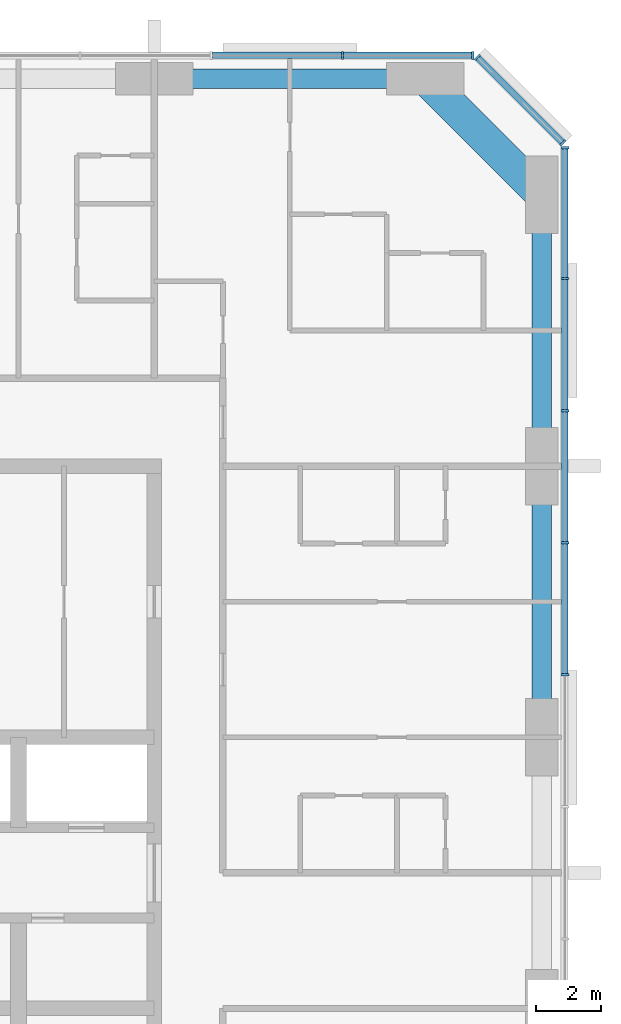
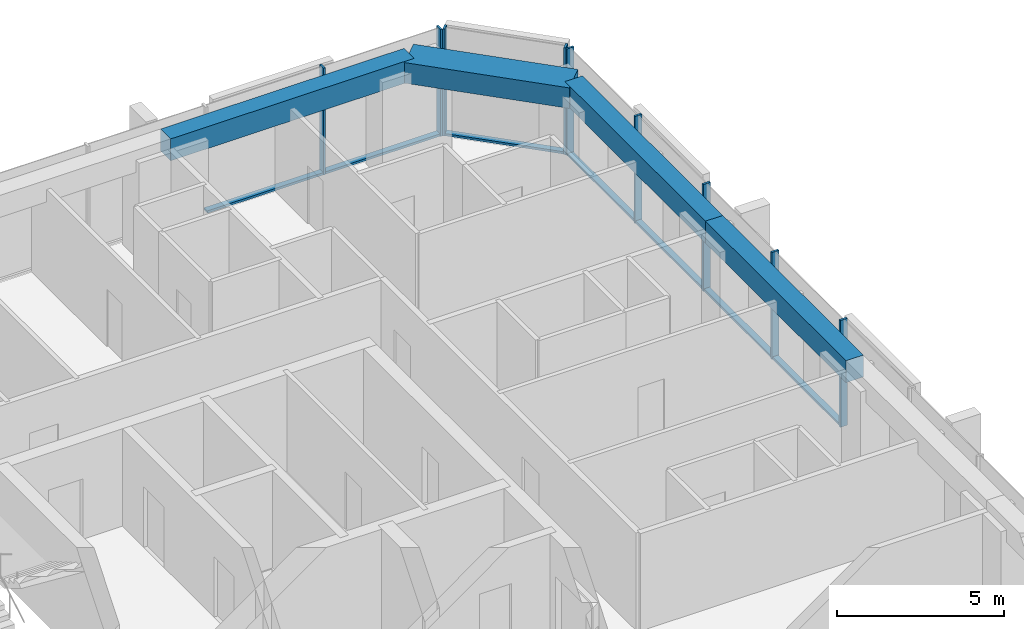
# One storey, part 5 of 13: 16 members, 4 beams, 3 elements without a shape of their own.
"""IFC4 building model written with IfcOpenShell, lengths in metres."""

from ifc_helpers import new_model, si_unit, direction, frame, origin, origin_2d, place, context, subcontext, project, spatial, rectangle, extrude, material, material_profile, profile_set, type_object, element, aggregate, save


model = new_model("IFC4")

# Units and contexts
model_context = context("Model", 3, precision=1e-05, world=origin(), true_north=direction((0.0, 1.0)))
body_context = subcontext(model_context, "Body", "Model", "MODEL_VIEW")
ifc_project = project(units=[si_unit("LENGTHUNIT", "METRE"), si_unit("AREAUNIT", "SQUARE_METRE"), si_unit("VOLUMEUNIT", "CUBIC_METRE"), si_unit("PLANEANGLEUNIT", "RADIAN"), si_unit("MASSUNIT", "GRAM", prefix="KILO")], contexts=[model_context])

# Site, building, storey
site_placement = place(None, origin())
site = spatial("IfcSite", under=ifc_project, at=site_placement, CompositionType="ELEMENT")
building_placement = place(site_placement, origin())
building = spatial("IfcBuilding", under=site, at=building_placement, Name="Dunama Terrace Hotel", CompositionType="ELEMENT")
storey_placement = place(building_placement, frame((0.0, 0.0, 276.300048828125)))
storey = spatial("IfcBuildingStorey", under=building, at=storey_placement, Name="L71", CompositionType="ELEMENT", Elevation=276.300048828125)

# Curtain wall, members
ifc_material_1 = material(Name="Aluminium curtain wall system", Category="aluminium")
curtain_wall_type = type_object("IfcCurtainWallType", Name="Unitised fritted glass wall CW-D", PredefinedType="NOTDEFINED", material=ifc_material_1)
curtain_wall_1_placement = place(storey_placement, origin())
curtain_wall_1 = element("IfcCurtainWall", 1, at=curtain_wall_1_placement, inside=storey, type_object=curtain_wall_type, Name="Unitised fritted glass wall CW-D L71", PredefinedType="NOTDEFINED")
ifc_material_2 = material(Name="Aluminium mullion", Category="aluminium")
ifc_material_profile_1 = material_profile(ifc_material_2, rectangle(XDim=0.070068359375, YDim=0.239990234375, at=origin_2d()), Name="CWD MULLION 70X240")
ifc_profile_set_1 = profile_set([ifc_material_profile_1], Name="Aluminium mullion")
member_type_1 = type_object("IfcMemberType", Name="CWD mullion 70x240", PredefinedType="MULLION", material=ifc_profile_set_1)
member_1_placement = place(storey_placement, frame((54.719970703125, 35.535888671875, 0.0), z_axis=(0.0, 0.0, 1.0), x_axis=(0.0, 1.0, 0.0)))
member_1 = element("IfcMember", 2, at=member_1_placement, type_object=member_type_1, Name="CWD mullion", PredefinedType="MULLION", context=body_context, shape_type="SweptSolid", body=[
    extrude(rectangle(XDim=0.070068359375, YDim=0.239990234375, at=origin_2d()), origin(), (0.0, 0.0, 1.0), 3.89990234375),
])
member_2_placement = place(storey_placement, frame((54.719970703125, 39.626953125, 0.0), z_axis=(0.0, 0.0, 1.0), x_axis=(0.0, 1.0, 0.0)))
member_2 = element("IfcMember", 3, at=member_2_placement, type_object=member_type_1, Name="CWD mullion", PredefinedType="MULLION", context=body_context, shape_type="SweptSolid", body=[
    extrude(rectangle(XDim=0.070068359375, YDim=0.239990234375, at=origin_2d()), origin(), (0.0, 0.0, 1.0), 3.89990234375),
])
member_3_placement = place(storey_placement, frame((54.719970703125, 43.718017578125, 0.0), z_axis=(0.0, 0.0, 1.0), x_axis=(0.0, 1.0, 0.0)))
member_3 = element("IfcMember", 4, at=member_3_placement, type_object=member_type_1, Name="CWD mullion", PredefinedType="MULLION", context=body_context, shape_type="SweptSolid", body=[
    extrude(rectangle(XDim=0.070068359375, YDim=0.239990234375, at=origin_2d()), origin(), (0.0, 0.0, 1.0), 3.89990234375),
])
member_4_placement = place(storey_placement, frame((54.719970703125, 47.80908203125, 0.0), z_axis=(0.0, 0.0, 1.0), x_axis=(0.0, 1.0, 0.0)))
member_4 = element("IfcMember", 5, at=member_4_placement, type_object=member_type_1, Name="CWD mullion", PredefinedType="MULLION", context=body_context, shape_type="SweptSolid", body=[
    extrude(rectangle(XDim=0.070068359375, YDim=0.239990234375, at=origin_2d()), origin(), (0.0, 0.0, 1.0), 3.89990234375),
])
member_5_placement = place(storey_placement, frame((54.719970703125, 51.864990234375, 0.0), z_axis=(0.0, 0.0, 1.0), x_axis=(0.0, 1.0, 0.0)))
member_5 = element("IfcMember", 6, at=member_5_placement, type_object=member_type_1, Name="CWD mullion", PredefinedType="MULLION", context=body_context, shape_type="SweptSolid", body=[
    extrude(rectangle(XDim=0.070068359375, YDim=0.239990234375, at=origin_2d()), origin(), (0.0, 0.0, 1.0), 3.89990234375),
])

curtain_wall_2_placement = place(storey_placement, origin())
curtain_wall_2 = element("IfcCurtainWall", 7, at=curtain_wall_2_placement, inside=storey, type_object=curtain_wall_type, Name="Unitised fritted glass wall CW-D L71", PredefinedType="NOTDEFINED")
member_6_placement = place(storey_placement, frame((54.659912109375, 52.010009765625, 0.0), z_axis=(0.0, 0.0, 1.0), x_axis=(-0.707106781187, 0.707106781187, 0.0)))
member_6 = element("IfcMember", 8, at=member_6_placement, type_object=member_type_1, Name="CWD mullion", PredefinedType="MULLION", context=body_context, shape_type="SweptSolid", body=[
    extrude(rectangle(XDim=0.070068359375, YDim=0.239990234375, at=origin_2d()), origin(), (0.0, 0.0, 1.0), 3.89990234375),
])
member_7_placement = place(storey_placement, frame((52.010009765625, 54.659912109375, 0.0), z_axis=(0.0, 0.0, 1.0), x_axis=(-0.707106781187, 0.707106781187, 0.0)))
member_7 = element("IfcMember", 9, at=member_7_placement, type_object=member_type_1, Name="CWD mullion", PredefinedType="MULLION", context=body_context, shape_type="SweptSolid", body=[
    extrude(rectangle(XDim=0.070068359375, YDim=0.239990234375, at=origin_2d()), origin(), (0.0, 0.0, 1.0), 3.89990234375),
])

curtain_wall_3_placement = place(storey_placement, origin())
curtain_wall_3 = element("IfcCurtainWall", 10, at=curtain_wall_3_placement, inside=storey, type_object=curtain_wall_type, Name="Unitised fritted glass wall CW-D L71", PredefinedType="NOTDEFINED")
member_8_placement = place(storey_placement, frame((51.864990234375, 54.719970703125, 0.0), z_axis=(0.0, 0.0, 1.0), x_axis=(-1.0, 0.0, 0.0)))
member_8 = element("IfcMember", 11, at=member_8_placement, type_object=member_type_1, Name="CWD mullion", PredefinedType="MULLION", context=body_context, shape_type="SweptSolid", body=[
    extrude(rectangle(XDim=0.070068359375, YDim=0.239990234375, at=origin_2d()), origin(), (0.0, 0.0, 1.0), 3.89990234375),
])
member_9_placement = place(storey_placement, frame((47.8330078125, 54.719970703125, 0.0), z_axis=(0.0, 0.0, 1.0), x_axis=(-1.0, 0.0, 0.0)))
member_9 = element("IfcMember", 12, at=member_9_placement, type_object=member_type_1, Name="CWD mullion", PredefinedType="MULLION", context=body_context, shape_type="SweptSolid", body=[
    extrude(rectangle(XDim=0.070068359375, YDim=0.239990234375, at=origin_2d()), origin(), (0.0, 0.0, 1.0), 3.89990234375),
])

# Member
ifc_material_3 = material(Name="Aluminium transom", Category="aluminium")
ifc_material_profile_2 = material_profile(ifc_material_3, rectangle(XDim=0.199951171875, YDim=0.0849609375, at=origin_2d()), Name="CWD TRANSOM 200X85")
ifc_profile_set_2 = profile_set([ifc_material_profile_2], Name="Aluminium transom")
member_type_2 = type_object("IfcMemberType", Name="CWD transom 200x85", PredefinedType="USERDEFINED", material=ifc_profile_set_2)
member_10_placement = place(storey_placement, frame((54.719970703125, 35.571044921875, 0.04248046875), z_axis=(0.0, 1.0, 0.0), x_axis=(-1.0, 0.0, 0.0)))
member_10 = element("IfcMember", 13, at=member_10_placement, type_object=member_type_2, Name="CWD transom", ObjectType="TRANSOM", PredefinedType="USERDEFINED", context=body_context, shape_type="SweptSolid", body=[
    extrude(rectangle(XDim=0.199951171875, YDim=0.0849609375, at=origin_2d()), origin(), (0.0, 0.0, 1.0), 4.02099609375),
])

member_11_placement = place(storey_placement, frame((54.719970703125, 39.662109375, 0.04248046875), z_axis=(0.0, 1.0, 0.0), x_axis=(-1.0, 0.0, 0.0)))
member_11 = element("IfcMember", 14, at=member_11_placement, type_object=member_type_2, Name="CWD transom", ObjectType="TRANSOM", PredefinedType="USERDEFINED", context=body_context, shape_type="SweptSolid", body=[
    extrude(rectangle(XDim=0.199951171875, YDim=0.0849609375, at=origin_2d()), origin(), (0.0, 0.0, 1.0), 4.02099609375),
])

member_12_placement = place(storey_placement, frame((54.719970703125, 43.7529296875, 0.04248046875), z_axis=(0.0, 1.0, 0.0), x_axis=(-1.0, 0.0, 0.0)))
member_12 = element("IfcMember", 15, at=member_12_placement, type_object=member_type_2, Name="CWD transom", ObjectType="TRANSOM", PredefinedType="USERDEFINED", context=body_context, shape_type="SweptSolid", body=[
    extrude(rectangle(XDim=0.199951171875, YDim=0.0849609375, at=origin_2d()), origin(), (0.0, 0.0, 1.0), 4.02099609375),
])

member_13_placement = place(storey_placement, frame((54.719970703125, 47.843994140625, 0.04248046875), z_axis=(0.0, 1.0, 0.0), x_axis=(-1.0, 0.0, 0.0)))
member_13 = element("IfcMember", 16, at=member_13_placement, type_object=member_type_2, Name="CWD transom", ObjectType="TRANSOM", PredefinedType="USERDEFINED", context=body_context, shape_type="SweptSolid", body=[
    extrude(rectangle(XDim=0.199951171875, YDim=0.0849609375, at=origin_2d()), origin(), (0.0, 0.0, 1.0), 3.986083984375),
])

aggregate(curtain_wall_1, [member_1, member_2, member_3, member_4, member_5, member_10, member_11, member_12, member_13])

member_14_placement = place(storey_placement, frame((54.635009765625, 52.033935546875, 0.04248046875), z_axis=(-0.707106781187, 0.707106781187, 0.0), x_axis=(-0.707106781187, -0.707106781187, 0.0)))
member_14 = element("IfcMember", 17, at=member_14_placement, type_object=member_type_2, Name="CWD transom", ObjectType="TRANSOM", PredefinedType="USERDEFINED", context=body_context, shape_type="SweptSolid", body=[
    extrude(rectangle(XDim=0.199951171875, YDim=0.0849609375, at=origin_2d()), origin(), (0.0, 0.0, 1.0), 3.678466796875),
])

aggregate(curtain_wall_2, [member_6, member_7, member_14])

member_15_placement = place(storey_placement, frame((51.830078125, 54.719970703125, 0.04248046875), z_axis=(-1.0, 0.0, 0.0), x_axis=(0.0, -1.0, 0.0)))
member_15 = element("IfcMember", 18, at=member_15_placement, type_object=member_type_2, Name="CWD transom", ObjectType="TRANSOM", PredefinedType="USERDEFINED", context=body_context, shape_type="SweptSolid", body=[
    extrude(rectangle(XDim=0.199951171875, YDim=0.0849609375, at=origin_2d()), origin(), (0.0, 0.0, 1.0), 3.962158203125),
])

member_16_placement = place(storey_placement, frame((47.798095703125, 54.719970703125, 0.04248046875), z_axis=(-1.0, 0.0, 0.0), x_axis=(0.0, -1.0, 0.0)))
member_16 = element("IfcMember", 19, at=member_16_placement, type_object=member_type_2, Name="CWD transom", ObjectType="TRANSOM", PredefinedType="USERDEFINED", context=body_context, shape_type="SweptSolid", body=[
    extrude(rectangle(XDim=0.199951171875, YDim=0.0849609375, at=origin_2d()), origin(), (0.0, 0.0, 1.0), 3.99609375),
])

aggregate(curtain_wall_3, [member_8, member_9, member_15, member_16])

# Beams
ifc_material_4 = material(Name="Concrete C50/60", Category="concrete")
ifc_material_profile_3 = material_profile(ifc_material_4, rectangle(XDim=1.0, YDim=0.75, at=origin_2d()), Name="RC 1000x750")
ifc_profile_set_3 = profile_set([ifc_material_profile_3], Name="Concrete C50/60")
beam_type_1 = type_object("IfcBeamType", Name="Edge beam RC 1000x750", PredefinedType="SPANDREL", material=ifc_profile_set_3)
beam_placement = place(storey_placement, frame((50.39990234375, 54.0, 3.52490234375), z_axis=(0.707106781187, -0.707106781187, 0.0), x_axis=(0.707106781187, 0.707106781187, 0.0)))
element("IfcBeam", 20, at=beam_placement, inside=storey, type_object=beam_type_1, Name="Corner edge beam under L72", PredefinedType="SPANDREL", context=body_context, shape_type="SweptSolid", body=[
    extrude(rectangle(XDim=1.0, YDim=0.75, at=origin_2d()), origin(), (0.0, 0.0, 1.0), 5.09130859375),
])
ifc_material_5 = material(Name="Concrete C40/50", Category="concrete")
ifc_material_profile_4 = material_profile(ifc_material_5, rectangle(XDim=0.60009765625, YDim=0.800048828125, at=origin_2d()), Name="RC 600x800")
ifc_profile_set_4 = profile_set([ifc_material_profile_4], Name="Concrete C40/50")
beam_type_2 = type_object("IfcBeamType", Name="Edge beam RC 600x800", PredefinedType="SPANDREL", material=ifc_profile_set_4)
for number, where, z_axis, x_axis, name in (
    (21, (54.0, 33.60009765625, 3.5), (0.0, 1.0, 0.0), (-1.0, 0.0, 0.0), "Edge beam under L72"),
    (22, (54.0, 42.0, 3.5), (0.0, 1.0, 0.0), (-1.0, 0.0, 0.0), "Edge beam under L72"),
    (23, (42.0, 54.0, 3.5), (1.0, 0.0, 0.0), (0.0, 1.0, 0.0), "Edge beam under L72"),
):
    element("IfcBeam", number, at=place(storey_placement, frame(where, z_axis=z_axis, x_axis=x_axis)), inside=storey, type_object=beam_type_2, Name=name, PredefinedType="SPANDREL", context=body_context, shape_type="SweptSolid", body=[
        extrude(rectangle(XDim=0.60009765625, YDim=0.800048828125, at=origin_2d()), origin(), (0.0, 0.0, 1.0), 8.39990234375),
    ])

save(model, "model.ifc")
